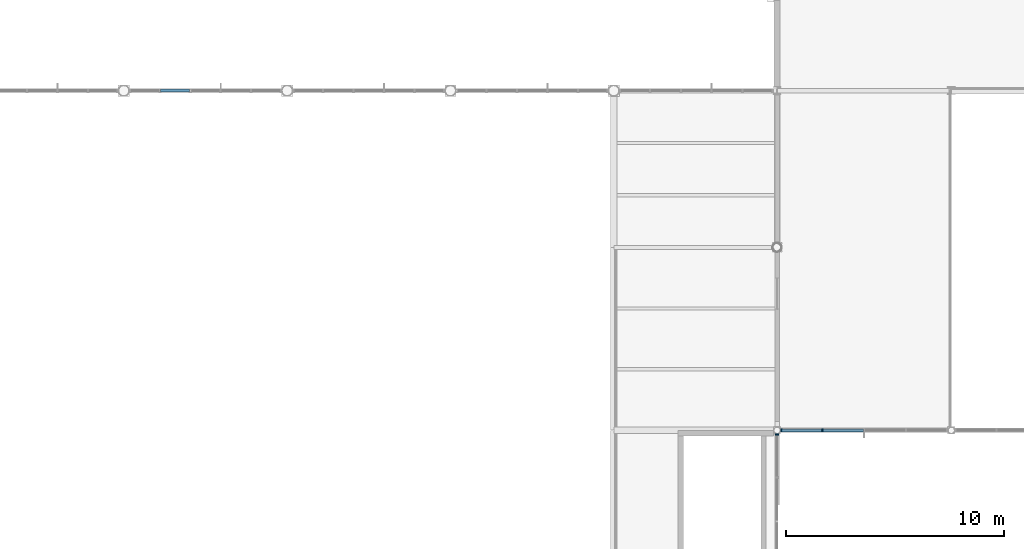
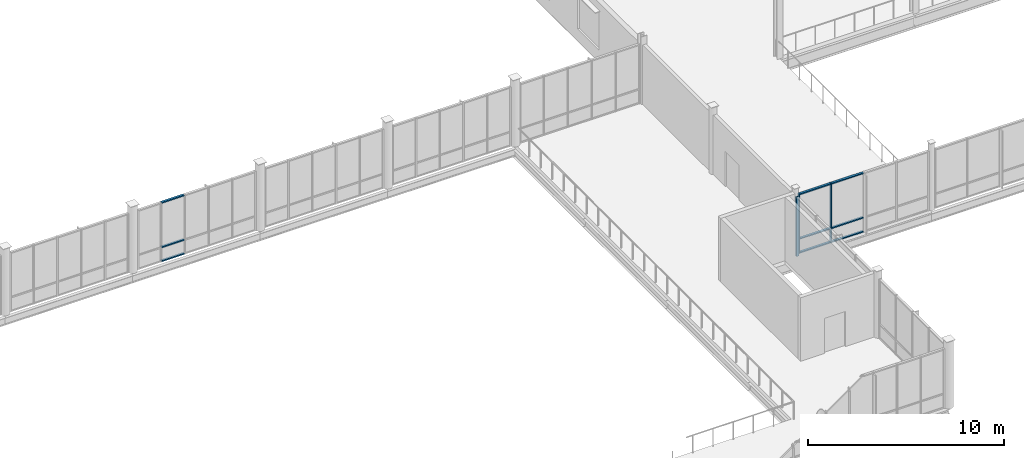
# One storey, part 22 of 75: 12 members, 3 elements without a shape of their own.
"""IFC4 building model written with IfcOpenShell, lengths in metres."""

import ifcopenshell
import ifcopenshell.guid

model = None  # the IFC model being written
_history = None  # IfcOwnerHistory: only IFC2X3 demands one
_inside = {}  # id of a spatial element -> (the spatial element, [elements in it])
_under = {}  # id of a project, library or spatial element -> (it, [spatial elements below it])
_declared = {}  # id of a project -> (the project, [libraries it declares])
_typed = {}  # id of a type object -> (the type object, [elements of that type])
_made_of = {}  # id of a material, layer set ... -> (it, [elements and type objects made of it])


def new_model(schema):
    """Start an empty IFC model of exactly this schema.

    Asked for "IFC4X3", IfcOpenShell would pick the latest addendum, in which some entities
    have other attributes; the version numbers below select the first issue.
    IFC2X3 requires an IfcOwnerHistory on every rooted entity: one is made here for all.
    """
    global model, _history
    if schema == "IFC4X3":
        model = ifcopenshell.file(schema_version=(4, 3, 0, 0))
    else:
        model = ifcopenshell.file(schema=schema)
    _inside.clear()
    _under.clear()
    _declared.clear()
    _typed.clear()
    _made_of.clear()
    _history = None
    if model.schema == "IFC2X3":
        org = make("IfcOrganization", Name="unknown")
        user = make(
            "IfcPersonAndOrganization",
            ThePerson=make("IfcPerson", FamilyName="unknown"),
            TheOrganization=org,
        )
        app = make(
            "IfcApplication",
            ApplicationDeveloper=org,
            Version="unknown",
            ApplicationFullName="unknown",
            ApplicationIdentifier="unknown",
        )
        _history = make(
            "IfcOwnerHistory",
            OwningUser=user,
            OwningApplication=app,
            ChangeAction="ADDED",
            CreationDate=0,
        )
    return model


def make(cls, **values):
    """One entity of the class cls with the attributes given. An attribute that is None is left unset."""
    return model.create_entity(
        cls, **{name: value for name, value in values.items() if value is not None}
    )


def rooted(cls, **values):
    """An entity with a GlobalId (a new one), such as an element, a storey or a relation."""
    return make(cls, GlobalId=ifcopenshell.guid.new(), OwnerHistory=_history, **values)


def si_unit(unit_type, name, prefix=None):
    """IfcSIUnit, for example si_unit("LENGTHUNIT", "METRE", prefix="MILLI")."""
    return make("IfcSIUnit", UnitType=unit_type, Prefix=prefix, Name=name)


def assignment(units):
    """IfcUnitAssignment: the units of a project."""
    return None if units is None else make("IfcUnitAssignment", Units=units)


def point(xyz):
    """IfcCartesianPoint."""
    return None if xyz is None else make("IfcCartesianPoint", Coordinates=xyz)


def direction(xyz):
    """IfcDirection."""
    return None if xyz is None else make("IfcDirection", DirectionRatios=xyz)


def frame(location, z_axis=None, x_axis=None):
    """IfcAxis2Placement3D, a coordinate frame: its origin and axes. An axis left out is left unset."""
    return make(
        "IfcAxis2Placement3D",
        Location=point(location),
        Axis=direction(z_axis),
        RefDirection=direction(x_axis),
    )


def frame_2d(location, x_axis=None):
    """IfcAxis2Placement2D, a coordinate frame in the plane: its origin and x axis."""
    return make(
        "IfcAxis2Placement2D", Location=point(location), RefDirection=direction(x_axis)
    )


def origin():
    """The frame at (0, 0, 0) with its axes left unset."""
    return frame((0.0, 0.0, 0.0))


def origin_2d():
    """The frame at (0, 0) in the plane with its x axis left unset."""
    return frame_2d((0.0, 0.0))


def place(relative_to, where):
    """IfcLocalPlacement: puts the frame where relative to a parent placement (None: the world)."""
    return make(
        "IfcLocalPlacement", PlacementRelTo=relative_to, RelativePlacement=where
    )


def context(
    kind, dimensions, precision=None, world=None, true_north=None, identifier=None
):
    """IfcGeometricRepresentationContext, for example the 3D "Model" context."""
    return make(
        "IfcGeometricRepresentationContext",
        ContextIdentifier=identifier,
        ContextType=kind,
        CoordinateSpaceDimension=dimensions,
        Precision=precision,
        WorldCoordinateSystem=world,
        TrueNorth=true_north,
    )


def subcontext(parent, identifier, kind, view, scale=None):
    """IfcGeometricRepresentationSubContext, for example "Body" below "Model"."""
    return make(
        "IfcGeometricRepresentationSubContext",
        ContextIdentifier=identifier,
        ContextType=kind,
        ParentContext=parent,
        TargetScale=scale,
        TargetView=view,
    )


def project(units=None, contexts=None):
    """IfcProject with its units and contexts."""
    return rooted(
        "IfcProject",
        Name="project",
        RepresentationContexts=contexts,
        UnitsInContext=assignment(units),
    )


def spatial(cls, under=None, at=None, **own):
    """A site, building, storey or space (cls), placed at a placement, below another one or the project."""
    s = rooted(cls, ObjectPlacement=at, **own)
    if under is not None:
        _under.setdefault(under.id(), (under, []))[1].append(s)
    return s


def profile(cls, at=None, kind="AREA", **sizes):
    """A parametric profile (cls). Its sizes go by their IFC names, for example OverallWidth=200.0."""
    return make(cls, ProfileType=kind, Position=at, **sizes)


def rectangle(**sizes):
    """IfcRectangleProfileDef."""
    return profile("IfcRectangleProfileDef", **sizes)


def extrude(swept, where, along, depth):
    """IfcExtrudedAreaSolid: the profile swept, set in the frame where, extruded along a direction by depth."""
    return make(
        "IfcExtrudedAreaSolid",
        SweptArea=swept,
        Position=where,
        ExtrudedDirection=direction(along),
        Depth=depth,
    )


def shape(context_of_items, identifier, shape_type, items):
    """IfcShapeRepresentation: the items that make up one representation, for example the "Body"."""
    return make(
        "IfcShapeRepresentation",
        ContextOfItems=context_of_items,
        RepresentationIdentifier=identifier,
        RepresentationType=shape_type,
        Items=items,
    )


def material(Name=None, Category=None):
    """IfcMaterial."""
    return make("IfcMaterial", Name=Name, Category=Category)


def layer(
    of_material, thickness, ventilated=None, Name=None, Category=None, Priority=None
):
    """IfcMaterialLayer: one layer of a wall or slab, of a material (None: an air gap)."""
    return make(
        "IfcMaterialLayer",
        Material=of_material,
        LayerThickness=thickness,
        IsVentilated=ventilated,
        Name=Name,
        Category=Category,
        Priority=Priority,
    )


def layer_set(layers, Name=None):
    """IfcMaterialLayerSet."""
    return make("IfcMaterialLayerSet", MaterialLayers=layers, LayerSetName=Name)


def made_of(thing, what):
    """Note that an element or type object is made of a material, layer set ...; save() writes the relation."""
    if what is not None:
        _made_of.setdefault(what.id(), (what, []))[1].append(thing)
    return thing


def type_object(cls, material=None, **own):
    """A type object (cls), such as IfcWallType, which elements share."""
    return made_of(rooted(cls, **own), material)


def element(
    cls,
    number,
    at=None,
    inside=None,
    cuts=None,
    type_object=None,
    material=None,
    context=None,
    identifier="Body",
    shape_type=None,
    held_by="IfcProductDefinitionShape",
    body=None,
    shapes=None,
    **own,
):
    """One element of the class cls, such as IfcWall. Its Tag is "e" and its number.

    at: its placement. inside: the storey or other place that contains it. cuts: it is an
    opening in that element (IfcRelVoidsElement). A single representation is given by context,
    identifier, shape_type and body (its items); several are given by shapes. held_by: the class
    of the entity that holds the representations. save() writes the other relations.
    """
    e = rooted(cls, Tag="e%d" % number, ObjectPlacement=at, **own)
    if body is not None:
        shapes = [shape(context, identifier, shape_type, body)]
    if shapes is not None:
        e.Representation = make(held_by, Representations=shapes)
    if inside is not None:
        _inside.setdefault(inside.id(), (inside, []))[1].append(e)
    if cuts is not None:
        rooted(
            "IfcRelVoidsElement", RelatingBuildingElement=cuts, RelatedOpeningElement=e
        )
    if type_object is not None:
        _typed.setdefault(type_object.id(), (type_object, []))[1].append(e)
    return made_of(e, material)


def aggregate(whole, parts):
    """IfcRelAggregates: a whole, such as a stair, and the parts it consists of."""
    return rooted("IfcRelAggregates", RelatingObject=whole, RelatedObjects=parts)


def save(model, path):
    """Write the relations noted so far, then the file.

    IfcRelAggregates (storeys below a building ...), IfcRelContainedInSpatialStructure (elements
    in a storey), IfcRelDefinesByType, IfcRelAssociatesMaterial and IfcRelDeclares: one each for
    every whole, place, type object, material and project.
    """
    for whole, parts in _under.values():
        aggregate(whole, parts)
    for where, things in _inside.values():
        rooted(
            "IfcRelContainedInSpatialStructure",
            RelatedElements=things,
            RelatingStructure=where,
        )
    for kind, things in _typed.values():
        rooted("IfcRelDefinesByType", RelatedObjects=things, RelatingType=kind)
    for what, things in _made_of.values():
        rooted("IfcRelAssociatesMaterial", RelatedObjects=things, RelatingMaterial=what)
    for by, libraries in _declared.values():
        rooted("IfcRelDeclares", RelatingContext=by, RelatedDefinitions=libraries)
    model.write(path)


model = new_model("IFC4")

# Units and contexts
model_context = context("Model", 3, precision=1e-05, world=origin(), true_north=direction((0.0, 1.0)))
body_context = subcontext(model_context, "Body", "Model", "MODEL_VIEW")
ifc_project = project(units=[si_unit("LENGTHUNIT", "METRE"), si_unit("AREAUNIT", "SQUARE_METRE"), si_unit("VOLUMEUNIT", "CUBIC_METRE"), si_unit("PLANEANGLEUNIT", "RADIAN"), si_unit("MASSUNIT", "GRAM", prefix="KILO")], contexts=[model_context])

# Site, building, storey
site_placement = place(None, origin())
site = spatial("IfcSite", under=ifc_project, at=site_placement, CompositionType="ELEMENT")
building_placement = place(site_placement, origin())
building = spatial("IfcBuilding", under=site, at=building_placement, Name="Yukiwa Park Conservatory and Herbarium", CompositionType="ELEMENT")
storey_placement = place(building_placement, frame((0.0, 0.0, 4.800048828125)))
storey = spatial("IfcBuildingStorey", under=building, at=storey_placement, Name="L01", CompositionType="ELEMENT", Elevation=4.800048828125)

# Curtain wall, member
ifc_material_1 = material(Name="Triple Low-E Insulated Glass", Category="glass")
ifc_layer_1 = layer(ifc_material_1, 0.1640625)
ifc_layer_set_1 = layer_set([ifc_layer_1], Name="Triple Low-E Insulated Glass")
curtain_wall_type_1 = type_object("IfcCurtainWallType", Name="CW-CONSERVATORY-1875", PredefinedType="NOTDEFINED", material=ifc_layer_set_1)
curtain_wall_1_placement = place(storey_placement, origin())
curtain_wall_1 = element("IfcCurtainWall", 1, at=curtain_wall_1_placement, inside=storey, type_object=curtain_wall_type_1, Name="L01 unitised curtain wall CW-L01-035", PredefinedType="NOTDEFINED")
ifc_material_2 = material(Name="Anodised Aluminium", Category="aluminium")
member_type_1 = type_object("IfcMemberType", Name="MB-CW-MUL-70X150", PredefinedType="MULLION", material=ifc_material_2)
member_1_placement = place(storey_placement, frame((60.0, 15.402587890625, 0.0), z_axis=(0.0, 0.0, 1.0), x_axis=(0.0, 1.0, 0.0)))
member_1 = element("IfcMember", 2, at=member_1_placement, type_object=member_type_1, Name="CW-L01-035 mullion 5", PredefinedType="MULLION", context=body_context, shape_type="SweptSolid", body=[
    extrude(rectangle(XDim=0.070068359375, YDim=0.14990234375, at=origin_2d()), origin(), (0.0, 0.0, 1.0), 3.699951171875),
])
aggregate(curtain_wall_1, [member_1])

# Curtain wall, members
ifc_material_3 = material(Name="Triple Low-E Insulated Glass", Category="glass")
ifc_layer_2 = layer(ifc_material_3, 0.18798828125)
ifc_layer_set_2 = layer_set([ifc_layer_2], Name="Triple Low-E Insulated Glass")
curtain_wall_type_2 = type_object("IfcCurtainWallType", Name="CW-CONCOURSE-2000", PredefinedType="NOTDEFINED", material=ifc_layer_set_2)
curtain_wall_2_placement = place(storey_placement, origin())
curtain_wall_2 = element("IfcCurtainWall", 3, at=curtain_wall_2_placement, inside=storey, type_object=curtain_wall_type_2, Name="L01 unitised curtain wall CW-L01-036", PredefinedType="NOTDEFINED")
member_2_placement = place(storey_placement, frame((60.197509765625, 15.60009765625, 0.0), z_axis=(0.0, 0.0, 1.0), x_axis=(1.0, 0.0, 0.0)))
member_2 = element("IfcMember", 4, at=member_2_placement, type_object=member_type_1, Name="CW-L01-036 mullion 1", PredefinedType="MULLION", context=body_context, shape_type="SweptSolid", body=[
    extrude(rectangle(XDim=0.070068359375, YDim=0.14990234375, at=origin_2d()), origin(), (0.0, 0.0, 1.0), 3.699951171875),
])
member_3_placement = place(storey_placement, frame((62.081298828125, 15.60009765625, 0.0), z_axis=(0.0, 0.0, 1.0), x_axis=(1.0, 0.0, 0.0)))
member_3 = element("IfcMember", 5, at=member_3_placement, type_object=member_type_1, Name="CW-L01-036 mullion 2", PredefinedType="MULLION", context=body_context, shape_type="SweptSolid", body=[
    extrude(rectangle(XDim=0.070068359375, YDim=0.14990234375, at=origin_2d()), origin(), (0.0, 0.0, 1.0), 3.699951171875),
])
ifc_material_4 = material(Name="Anodised Aluminium", Category="aluminium")
member_type_2 = type_object("IfcMemberType", Name="MB-CW-TRN-70X130", PredefinedType="USERDEFINED", material=ifc_material_4)
member_4_placement = place(storey_placement, frame((61.121826171875, 15.60009765625, 0.0), z_axis=(0.0, 0.0, 1.0), x_axis=(1.0, 0.0, 0.0)))
member_4 = element("IfcMember", 6, at=member_4_placement, type_object=member_type_2, Name="CW-L01-036 transom 1.1", ObjectType="TRANSOM", PredefinedType="USERDEFINED", context=body_context, shape_type="SweptSolid", body=[
    extrude(rectangle(XDim=1.848876953125, YDim=0.1298828125, at=origin_2d()), origin(), (0.0, 0.0, 1.0), 0.070068359375),
])
member_5_placement = place(storey_placement, frame((61.121826171875, 15.60009765625, 0.86474609375), z_axis=(0.0, 0.0, 1.0), x_axis=(1.0, 0.0, 0.0)))
member_5 = element("IfcMember", 7, at=member_5_placement, type_object=member_type_2, Name="CW-L01-036 transom 1.2", ObjectType="TRANSOM", PredefinedType="USERDEFINED", context=body_context, shape_type="SweptSolid", body=[
    extrude(rectangle(XDim=1.848876953125, YDim=0.1298828125, at=origin_2d()), origin(), (0.0, 0.0, 1.0), 0.070068359375),
])
member_6_placement = place(storey_placement, frame((61.121826171875, 15.60009765625, 3.6298828125), z_axis=(0.0, 0.0, 1.0), x_axis=(1.0, 0.0, 0.0)))
member_6 = element("IfcMember", 8, at=member_6_placement, type_object=member_type_2, Name="CW-L01-036 transom 1.3", ObjectType="TRANSOM", PredefinedType="USERDEFINED", context=body_context, shape_type="SweptSolid", body=[
    extrude(rectangle(XDim=1.848876953125, YDim=0.1298828125, at=origin_2d()), origin(), (0.0, 0.0, 1.0), 0.070068359375),
])
member_7_placement = place(storey_placement, frame((63.04052734375, 15.60009765625, 0.0), z_axis=(0.0, 0.0, 1.0), x_axis=(1.0, 0.0, 0.0)))
member_7 = element("IfcMember", 9, at=member_7_placement, type_object=member_type_2, Name="CW-L01-036 transom 2.1", ObjectType="TRANSOM", PredefinedType="USERDEFINED", context=body_context, shape_type="SweptSolid", body=[
    extrude(rectangle(XDim=1.848876953125, YDim=0.1298828125, at=origin_2d()), origin(), (0.0, 0.0, 1.0), 0.070068359375),
])
member_8_placement = place(storey_placement, frame((63.04052734375, 15.60009765625, 0.86474609375), z_axis=(0.0, 0.0, 1.0), x_axis=(1.0, 0.0, 0.0)))
member_8 = element("IfcMember", 10, at=member_8_placement, type_object=member_type_2, Name="CW-L01-036 transom 2.2", ObjectType="TRANSOM", PredefinedType="USERDEFINED", context=body_context, shape_type="SweptSolid", body=[
    extrude(rectangle(XDim=1.848876953125, YDim=0.1298828125, at=origin_2d()), origin(), (0.0, 0.0, 1.0), 0.070068359375),
])
member_9_placement = place(storey_placement, frame((63.04052734375, 15.60009765625, 3.6298828125), z_axis=(0.0, 0.0, 1.0), x_axis=(1.0, 0.0, 0.0)))
member_9 = element("IfcMember", 11, at=member_9_placement, type_object=member_type_2, Name="CW-L01-036 transom 2.3", ObjectType="TRANSOM", PredefinedType="USERDEFINED", context=body_context, shape_type="SweptSolid", body=[
    extrude(rectangle(XDim=1.848876953125, YDim=0.1298828125, at=origin_2d()), origin(), (0.0, 0.0, 1.0), 0.070068359375),
])
aggregate(curtain_wall_2, [member_2, member_3, member_4, member_5, member_6, member_7, member_8, member_9])

ifc_material_5 = material(Name="Triple Low-E Insulated Glass", Category="glass")
ifc_layer_3 = layer(ifc_material_5, 0.152099609375)
ifc_layer_set_3 = layer_set([ifc_layer_3], Name="Triple Low-E Insulated Glass")
curtain_wall_type_3 = type_object("IfcCurtainWallType", Name="CW-CONSERVATORY-1500", PredefinedType="NOTDEFINED", material=ifc_layer_set_3)
curtain_wall_3_placement = place(storey_placement, origin())
curtain_wall_3 = element("IfcCurtainWall", 12, at=curtain_wall_3_placement, inside=storey, type_object=curtain_wall_type_3, Name="L01 unitised curtain wall CW-L01-053", PredefinedType="NOTDEFINED")
member_10_placement = place(storey_placement, frame((32.3515625, 31.199951171875, 0.0), z_axis=(0.0, 0.0, 1.0), x_axis=(-1.0, 0.0, 0.0)))
member_10 = element("IfcMember", 13, at=member_10_placement, type_object=member_type_2, Name="CW-L01-053 transom 4.1", ObjectType="TRANSOM", PredefinedType="USERDEFINED", context=body_context, shape_type="SweptSolid", body=[
    extrude(rectangle(XDim=1.328369140625, YDim=0.1298828125, at=origin_2d()), origin(), (0.0, 0.0, 1.0), 0.070068359375),
])
member_11_placement = place(storey_placement, frame((32.3515625, 31.199951171875, 0.86474609375), z_axis=(0.0, 0.0, 1.0), x_axis=(-1.0, 0.0, 0.0)))
member_11 = element("IfcMember", 14, at=member_11_placement, type_object=member_type_2, Name="CW-L01-053 transom 4.2", ObjectType="TRANSOM", PredefinedType="USERDEFINED", context=body_context, shape_type="SweptSolid", body=[
    extrude(rectangle(XDim=1.328369140625, YDim=0.1298828125, at=origin_2d()), origin(), (0.0, 0.0, 1.0), 0.070068359375),
])
member_12_placement = place(storey_placement, frame((32.3515625, 31.199951171875, 3.6298828125), z_axis=(0.0, 0.0, 1.0), x_axis=(-1.0, 0.0, 0.0)))
member_12 = element("IfcMember", 15, at=member_12_placement, type_object=member_type_2, Name="CW-L01-053 transom 4.3", ObjectType="TRANSOM", PredefinedType="USERDEFINED", context=body_context, shape_type="SweptSolid", body=[
    extrude(rectangle(XDim=1.328369140625, YDim=0.1298828125, at=origin_2d()), origin(), (0.0, 0.0, 1.0), 0.070068359375),
])
aggregate(curtain_wall_3, [member_10, member_11, member_12])

save(model, "model.ifc")
